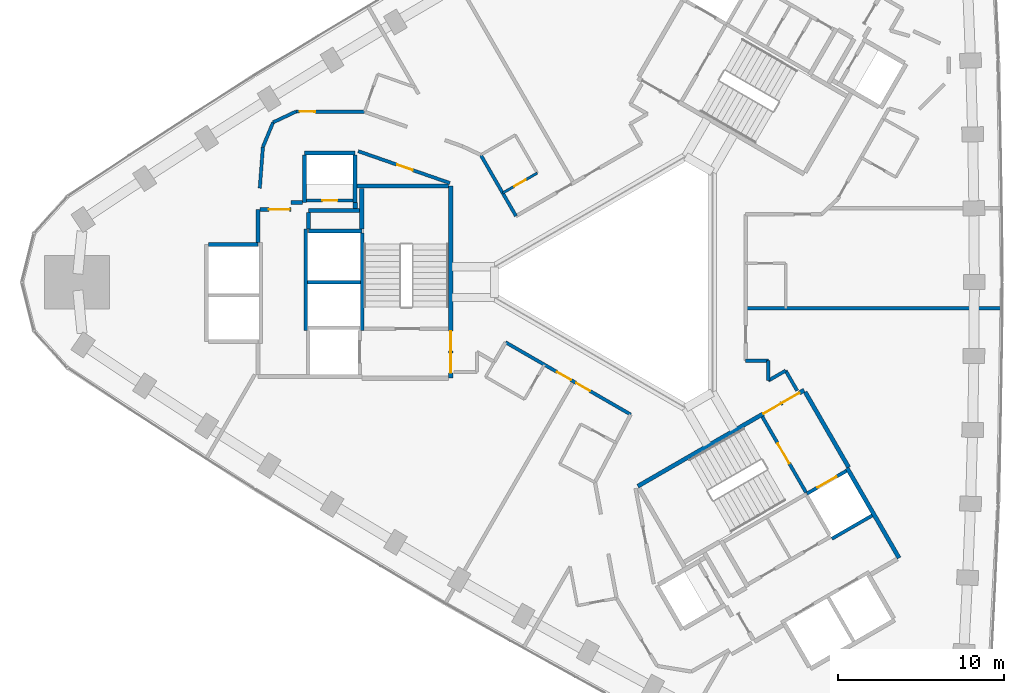
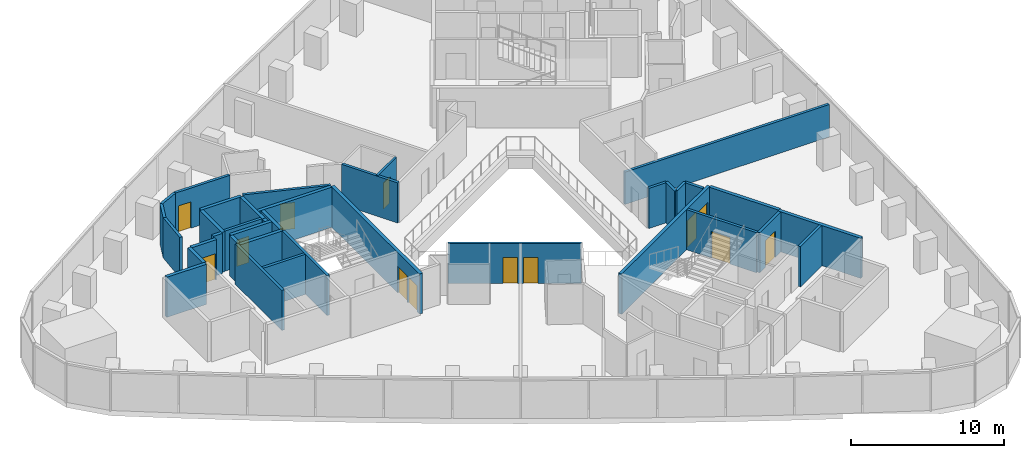
# One storey, part 9 of 12: 37 walls, 13 doors, 13 openings.
"""IFC4 building model written with IfcOpenShell, lengths in metres."""

from ifc_helpers import new_model, si_unit, direction, frame, frame_2d, origin, place, context, subcontext, project, spatial, rectangle, extrude, material, layer, layer_set, type_object, element, fill, save


model = new_model("IFC4")

# Units and contexts
model_context = context("Model", 3, precision=1e-05, world=origin(), true_north=direction((0.0, 1.0)))
body_context = subcontext(model_context, "Body", "Model", "MODEL_VIEW")
ifc_project = project(units=[si_unit("LENGTHUNIT", "METRE"), si_unit("AREAUNIT", "SQUARE_METRE"), si_unit("VOLUMEUNIT", "CUBIC_METRE"), si_unit("PLANEANGLEUNIT", "RADIAN"), si_unit("MASSUNIT", "GRAM", prefix="KILO")], contexts=[model_context])

# Site, building, storey
site_placement = place(None, origin())
site = spatial("IfcSite", under=ifc_project, at=site_placement, CompositionType="ELEMENT")
building_placement = place(site_placement, origin())
building = spatial("IfcBuilding", under=site, at=building_placement, Name="Tamra Quay Hotel Tower", CompositionType="ELEMENT")
storey_placement = place(building_placement, frame((0.0, 0.0, 115.39990234375)))
storey = spatial("IfcBuildingStorey", under=building, at=storey_placement, Name="L28", CompositionType="ELEMENT", Elevation=115.39990234375)

# Walls
ifc_material_1 = material(Name="Concrete M70", Category="concrete")
ifc_layer_1 = layer(ifc_material_1, 0.199951171875)
ifc_layer_set_1 = layer_set([ifc_layer_1], Name="Concrete M70 core wall 200")
wall_type_1 = type_object("IfcWallType", Name="Concrete M70 core wall 200", PredefinedType="SHEAR", material=ifc_layer_set_1)
wall_1_placement = place(storey_placement, frame((-16.162109375, 2.95068359375, 0.0), z_axis=(0.0, 0.0, 1.0), x_axis=(0.0, -1.0, 0.0)))
element("IfcWall", 1, at=wall_1_placement, inside=storey, type_object=wall_type_1, Name="CW2", PredefinedType="SHEAR", context=body_context, shape_type="SweptSolid", body=[
    extrude(rectangle(XDim=5.850830078125, YDim=0.199951171875, at=frame_2d((2.92529296875, 0.0))), origin(), (0.0, 0.0, 1.0), 3.2001953125),
])
wall_2_placement = place(storey_placement, frame((-19.5625, -2.900146484375, 0.0), z_axis=(0.0, 0.0, 1.0), x_axis=(0.0, 1.0, 0.0)))
element("IfcWall", 2, at=wall_2_placement, inside=storey, type_object=wall_type_1, Name="CW2", PredefinedType="SHEAR", context=body_context, shape_type="SweptSolid", body=[
    extrude(rectangle(XDim=6.100341796875, YDim=0.199951171875, at=frame_2d((3.05029296875, 0.0))), origin(), (0.0, 0.0, 1.0), 3.2001953125),
])
wall_3_placement = place(storey_placement, frame((-16.26318359375, 0.0, 0.0), z_axis=(0.0, 0.0, 1.0), x_axis=(-1.0, 0.0, 0.0)))
element("IfcWall", 3, at=wall_3_placement, inside=storey, type_object=wall_type_1, Name="CW2", PredefinedType="SHEAR", context=body_context, shape_type="SweptSolid", body=[
    extrude(rectangle(XDim=3.1982421875, YDim=0.199951171875, at=frame_2d((1.59912109375, 0.0))), origin(), (0.0, 0.0, 1.0), 3.2001953125),
])

# Wall, opening, door
wall_4_placement = place(storey_placement, frame((-19.51123046875, 4.91015625, 0.0), z_axis=(0.0, 0.0, 1.0), x_axis=(1.0, 0.0, 0.0)))
wall_4 = element("IfcWall", 4, at=wall_4_placement, inside=storey, type_object=wall_type_1, Name="CW2", PredefinedType="SHEAR", context=body_context, shape_type="SweptSolid", body=[
    extrude(rectangle(XDim=2.7978515625, YDim=0.199951171875, at=frame_2d((1.39892578125, 0.0))), origin(), (0.0, 0.0, 1.0), 3.2001953125),
])
opening_1_placement = place(wall_4_placement, frame((0.948974609375, 0.0, 0.0)))
opening_1 = element("IfcOpeningElement", 5, at=opening_1_placement, cuts=wall_4, Name="Opening D1", PredefinedType="OPENING", context=body_context, shape_type="SweptSolid", body=[
    extrude(rectangle(XDim=0.89990234375, YDim=2.10009765625, at=frame_2d((0.449951171875, 1.050048828125))), frame((0.0, 0.10986328125, 0.0), z_axis=(0.0, -1.0, 0.0), x_axis=(1.0, 0.0, 0.0)), (0.0, 0.0, 1.0), 0.219970703125),
])
ifc_material_2 = material(Name="Core door D1 900x2100 RH")
door_type_1 = type_object("IfcDoorType", Name="Core door D1 900x2100 RH", OperationType="NOTDEFINED", PredefinedType="DOOR", material=ifc_material_2)
door_1_placement = place(opening_1_placement, origin())
door_1 = element("IfcDoor", 6, at=door_1_placement, inside=storey, type_object=door_type_1, Name="D1", OperationType="SINGLE_SWING_RIGHT", OverallHeight=2.10009765625, OverallWidth=0.89990234375, PredefinedType="DOOR", context=body_context, shape_type="SweptSolid", body=[
    extrude(rectangle(XDim=0.89990234375, YDim=2.10009765625, at=frame_2d((0.449951171875, 1.050048828125))), frame((0.0, 0.02490234375, 0.0), z_axis=(0.0, -1.0, 0.0), x_axis=(1.0, 0.0, 0.0)), (0.0, 0.0, 1.0), 0.050048828125),
])
fill(opening_1, door_1)

wall_5_placement = place(storey_placement, frame((7.906494140625, -8.094482421875, 0.0), z_axis=(0.0, 0.0, 1.0), x_axis=(0.500024287448, -0.866011380966, 0.0)))
wall_5 = element("IfcWall", 7, at=wall_5_placement, inside=storey, type_object=wall_type_1, Name="CW2", PredefinedType="SHEAR", context=body_context, shape_type="SweptSolid", body=[
    extrude(rectangle(XDim=5.251220703125, YDim=0.199951171875, at=frame_2d((2.62548828125, 0.0))), origin(), (0.0, 0.0, 1.0), 3.2001953125),
])
opening_2_placement = place(wall_5_placement, frame((1.84912109375, 0.0, 0.0)))
opening_2 = element("IfcOpeningElement", 8, at=opening_2_placement, cuts=wall_5, Name="Opening FD2", PredefinedType="OPENING", context=body_context, shape_type="SweptSolid", body=[
    extrude(rectangle(XDim=1.39990234375, YDim=2.10009765625, at=frame_2d((0.699951171875, 1.050048828125))), frame((0.0, 0.10986328125, 0.0), z_axis=(0.0, -1.0, 0.0), x_axis=(1.0, 0.0, 0.0)), (0.0, 0.0, 1.0), 0.219970703125),
])
ifc_material_3 = material(Name="Core door FD2 1400x2100 RH")
door_type_2 = type_object("IfcDoorType", Name="Core door FD2 1400x2100 RH", OperationType="NOTDEFINED", PredefinedType="DOOR", material=ifc_material_3)
door_2_placement = place(opening_2_placement, origin())
door_2 = element("IfcDoor", 9, at=door_2_placement, inside=storey, type_object=door_type_2, Name="FD2", OperationType="SINGLE_SWING_RIGHT", OverallHeight=2.10009765625, OverallWidth=1.39990234375, PredefinedType="DOOR", context=body_context, shape_type="SweptSolid", body=[
    extrude(rectangle(XDim=1.39990234375, YDim=2.10009765625, at=frame_2d((0.699951171875, 1.050048828125))), frame((0.0, 0.02490234375, 0.0), z_axis=(0.0, -1.0, 0.0), x_axis=(1.0, 0.0, 0.0)), (0.0, 0.0, 1.0), 0.050048828125),
])
fill(opening_2, door_2)

wall_6_placement = place(storey_placement, frame((10.587158203125, -12.72314453125, 0.0), z_axis=(0.0, 0.0, 1.0), x_axis=(0.866037306777, 0.499979382845, 0.0)))
wall_6 = element("IfcWall", 10, at=wall_6_placement, inside=storey, type_object=wall_type_1, Name="CW2", PredefinedType="SHEAR", context=body_context, shape_type="SweptSolid", body=[
    extrude(rectangle(XDim=2.74169921875, YDim=0.199951171875, at=frame_2d((1.370849609375, 0.0))), origin(), (0.0, 0.0, 1.0), 3.2001953125),
])
opening_3_placement = place(wall_6_placement, frame((0.742919921875, 0.0, 0.0)))
opening_3 = element("IfcOpeningElement", 11, at=opening_3_placement, cuts=wall_6, Name="Opening LD", PredefinedType="OPENING", context=body_context, shape_type="SweptSolid", body=[
    extrude(rectangle(XDim=1.300048828125, YDim=2.10009765625, at=frame_2d((0.64990234375, 1.050048828125))), frame((0.0, 0.10986328125, 0.0), z_axis=(0.0, -1.0, 0.0), x_axis=(1.0, 0.0, 0.0)), (0.0, 0.0, 1.0), 0.219970703125),
])
ifc_material_4 = material(Name="Landing door LD 1300 sliding to right")
door_type_3 = type_object("IfcDoorType", Name="Landing door LD 1300 sliding to right", OperationType="NOTDEFINED", PredefinedType="DOOR", material=ifc_material_4)
door_3_placement = place(opening_3_placement, origin())
door_3 = element("IfcDoor", 12, at=door_3_placement, inside=storey, type_object=door_type_3, Name="LD", OperationType="SLIDING_TO_RIGHT", OverallHeight=2.10009765625, OverallWidth=1.300048828125, PredefinedType="DOOR", context=body_context, shape_type="SweptSolid", body=[
    extrude(rectangle(XDim=1.300048828125, YDim=2.10009765625, at=frame_2d((0.64990234375, 1.050048828125))), frame((0.0, 0.02490234375, 0.0), z_axis=(0.0, -1.0, 0.0), x_axis=(1.0, 0.0, 0.0)), (0.0, 0.0, 1.0), 0.050048828125),
])
fill(opening_3, door_3)

# Wall
wall_7_placement = place(storey_placement, frame((14.51171875, -14.037109375, 0.0), z_axis=(0.0, 0.0, 1.0), x_axis=(-0.866044696403, -0.499966582715, 0.0)))
element("IfcWall", 13, at=wall_7_placement, inside=storey, type_object=wall_type_1, Name="CW2", PredefinedType="SHEAR", context=body_context, shape_type="SweptSolid", body=[
    extrude(rectangle(XDim=2.799072265625, YDim=0.199951171875, at=frame_2d((1.3994140625, 0.0))), origin(), (0.0, 0.0, 1.0), 3.2001953125),
])

# Wall, openings, doors
ifc_layer_2 = layer(ifc_material_1, 0.25)
ifc_layer_set_2 = layer_set([ifc_layer_2], Name="Concrete M70 core wall 250")
wall_type_2 = type_object("IfcWallType", Name="Concrete M70 core wall 250", PredefinedType="SHEAR", material=ifc_layer_set_2)
wall_8_placement = place(storey_placement, frame((-10.83740234375, 5.77490234375, 0.0), z_axis=(0.0, 0.0, 1.0), x_axis=(0.0, -1.0, 0.0)))
wall_8 = element("IfcWall", 14, at=wall_8_placement, inside=storey, type_object=wall_type_2, Name="CW1", PredefinedType="SHEAR", context=body_context, shape_type="SweptSolid", body=[
    extrude(rectangle(XDim=11.5498046875, YDim=0.25, at=frame_2d((5.77490234375, 0.0))), origin(), (0.0, 0.0, 1.0), 3.2001953125),
])
opening_4_placement = place(wall_8_placement, frame((10.02490234375, 0.0, 0.0)))
opening_4 = element("IfcOpeningElement", 15, at=opening_4_placement, cuts=wall_8, Name="Opening FD1", PredefinedType="OPENING", context=body_context, shape_type="SweptSolid", body=[
    extrude(rectangle(XDim=1.199951171875, YDim=2.10009765625, at=frame_2d((0.60009765625, 1.050048828125))), frame((0.0, 0.135009765625, 0.0), z_axis=(0.0, -1.0, 0.0), x_axis=(1.0, 0.0, 0.0)), (0.0, 0.0, 1.0), 0.27001953125),
])
opening_5_placement = place(wall_8_placement, frame((8.72509765625, 0.0, 0.0)))
opening_5 = element("IfcOpeningElement", 16, at=opening_5_placement, cuts=wall_8, Name="Opening FD1", PredefinedType="OPENING", context=body_context, shape_type="SweptSolid", body=[
    extrude(rectangle(XDim=1.199951171875, YDim=2.10009765625, at=frame_2d((0.60009765625, 1.050048828125))), frame((0.0, 0.135009765625, 0.0), z_axis=(0.0, -1.0, 0.0), x_axis=(1.0, 0.0, 0.0)), (0.0, 0.0, 1.0), 0.27001953125),
])
ifc_material_5 = material(Name="Core door FD1 1200x2100 LH")
door_type_4 = type_object("IfcDoorType", Name="Core door FD1 1200x2100 LH", OperationType="NOTDEFINED", PredefinedType="DOOR", material=ifc_material_5)
door_4_placement = place(opening_4_placement, origin())
door_4 = element("IfcDoor", 17, at=door_4_placement, inside=storey, type_object=door_type_4, Name="FD1", OperationType="SINGLE_SWING_LEFT", OverallHeight=2.10009765625, OverallWidth=1.199951171875, PredefinedType="DOOR", context=body_context, shape_type="SweptSolid", body=[
    extrude(rectangle(XDim=1.199951171875, YDim=2.10009765625, at=frame_2d((0.60009765625, 1.050048828125))), frame((0.0, 0.02490234375, 0.0), z_axis=(0.0, -1.0, 0.0), x_axis=(1.0, 0.0, 0.0)), (0.0, 0.0, 1.0), 0.050048828125),
])
fill(opening_4, door_4)
ifc_material_6 = material(Name="Core door FD1 1200x2100 RH")
door_type_5 = type_object("IfcDoorType", Name="Core door FD1 1200x2100 RH", OperationType="NOTDEFINED", PredefinedType="DOOR", material=ifc_material_6)
door_5_placement = place(opening_5_placement, origin())
door_5 = element("IfcDoor", 18, at=door_5_placement, inside=storey, type_object=door_type_5, Name="FD1", OperationType="SINGLE_SWING_RIGHT", OverallHeight=2.10009765625, OverallWidth=1.199951171875, PredefinedType="DOOR", context=body_context, shape_type="SweptSolid", body=[
    extrude(rectangle(XDim=1.199951171875, YDim=2.10009765625, at=frame_2d((0.60009765625, 1.050048828125))), frame((0.0, 0.02490234375, 0.0), z_axis=(0.0, -1.0, 0.0), x_axis=(1.0, 0.0, 0.0)), (0.0, 0.0, 1.0), 0.050048828125),
])
fill(opening_5, door_5)

# Walls
wall_9_placement = place(storey_placement, frame((-16.47216796875, 5.77490234375, 0.0), z_axis=(0.0, 0.0, 1.0), x_axis=(1.0, 0.0, 0.0)))
element("IfcWall", 19, at=wall_9_placement, inside=storey, type_object=wall_type_2, Name="CW1", PredefinedType="SHEAR", context=body_context, shape_type="SweptSolid", body=[
    extrude(rectangle(XDim=5.509521484375, YDim=0.25, at=frame_2d((2.7548828125, 0.0))), origin(), (0.0, 0.0, 1.0), 3.2001953125),
])
wall_10_placement = place(storey_placement, frame((-19.38720703125, 3.074951171875, 0.0), z_axis=(0.0, 0.0, 1.0), x_axis=(1.0, 0.0, 0.0)))
element("IfcWall", 20, at=wall_10_placement, inside=storey, type_object=wall_type_2, Name="CW1", PredefinedType="SHEAR", context=body_context, shape_type="SweptSolid", body=[
    extrude(rectangle(XDim=3.199951171875, YDim=0.25, at=frame_2d((1.60009765625, 0.0))), origin(), (0.0, 0.0, 1.0), 3.2001953125),
])
wall_11_placement = place(storey_placement, frame((-25.411865234375, 2.27490234375, 0.0), z_axis=(0.0, 0.0, 1.0), x_axis=(1.0, 0.0, 0.0)))
element("IfcWall", 21, at=wall_11_placement, inside=storey, type_object=wall_type_2, Name="CW1", PredefinedType="SHEAR", context=body_context, shape_type="SweptSolid", body=[
    extrude(rectangle(XDim=2.974609375, YDim=0.25, at=frame_2d((1.4873046875, 0.0))), origin(), (0.0, 0.0, 1.0), 3.2001953125),
])
wall_12_placement = place(storey_placement, frame((-19.63720703125, 7.77490234375, 0.0), z_axis=(0.0, 0.0, 1.0), x_axis=(1.0, 0.0, 0.0)))
element("IfcWall", 22, at=wall_12_placement, inside=storey, type_object=wall_type_2, Name="CW1", PredefinedType="SHEAR", context=body_context, shape_type="SweptSolid", body=[
    extrude(rectangle(XDim=3.0498046875, YDim=0.25, at=frame_2d((1.52490234375, 0.0))), origin(), (0.0, 0.0, 1.0), 3.2001953125),
])
for number, where, z_axis, x_axis, name in (
    (23, (-16.58740234375, 7.649658203125, 0.0), (0.0, 0.0, 1.0), (0.0, -1.0, 0.0), "CW1"),
    (24, (-19.63720703125, 4.784912109375, 0.0), (0.0, 0.0, 1.0), (0.0, 1.0, 0.0), "CW1"),
):
    element("IfcWall", number, at=place(storey_placement, frame(where, z_axis=z_axis, x_axis=x_axis)), inside=storey, type_object=wall_type_2, Name=name, PredefinedType="SHEAR", context=body_context, shape_type="SweptSolid", body=[
        extrude(rectangle(XDim=2.86474609375, YDim=0.25, at=frame_2d((1.432373046875, 0.0))), origin(), (0.0, 0.0, 1.0), 3.2001953125),
    ])
wall_13_placement = place(storey_placement, frame((-16.30224609375, 4.31494140625, 0.0), z_axis=(0.0, 0.0, 1.0), x_axis=(-1.0, 0.0, 0.0)))
element("IfcWall", 25, at=wall_13_placement, inside=storey, type_object=wall_type_2, Name="CW1", PredefinedType="SHEAR", context=body_context, shape_type="SweptSolid", body=[
    extrude(rectangle(XDim=3.0849609375, YDim=0.25, at=frame_2d((1.54248046875, 0.0))), origin(), (0.0, 0.0, 1.0), 3.2001953125),
])
wall_14_placement = place(storey_placement, frame((-16.187255859375, 3.200439453125, 0.0), z_axis=(0.0, 0.0, 1.0), x_axis=(0.0, 1.0, 0.0)))
element("IfcWall", 26, at=wall_14_placement, inside=storey, type_object=wall_type_2, Name="CW1", PredefinedType="SHEAR", context=body_context, shape_type="SweptSolid", body=[
    extrude(rectangle(XDim=2.44921875, YDim=0.25, at=frame_2d((1.224609375, 0.0))), origin(), (0.0, 0.0, 1.0), 3.2001953125),
])
wall_15_placement = place(storey_placement, frame((-22.437255859375, 2.400390625, 0.0), z_axis=(0.0, 0.0, 1.0), x_axis=(0.0, 1.0, 0.0)))
element("IfcWall", 27, at=wall_15_placement, inside=storey, type_object=wall_type_2, Name="CW1", PredefinedType="SHEAR", context=body_context, shape_type="SweptSolid", body=[
    extrude(rectangle(XDim=1.974609375, YDim=0.25, at=frame_2d((0.9873046875, 0.0))), origin(), (0.0, 0.0, 1.0), 3.2001953125),
])

# Wall, opening, door
wall_16_placement = place(storey_placement, frame((-22.311767578125, 4.375, 0.0), z_axis=(0.0, 0.0, 1.0), x_axis=(1.0, 0.0, 0.0)))
wall_16 = element("IfcWall", 28, at=wall_16_placement, inside=storey, type_object=wall_type_2, Name="CW1", PredefinedType="SHEAR", context=body_context, shape_type="SweptSolid", body=[
    extrude(rectangle(XDim=1.864501953125, YDim=0.25, at=frame_2d((0.93212890625, 0.0))), origin(), (0.0, 0.0, 1.0), 3.2001953125),
])
opening_6_placement = place(wall_16_placement, frame((0.53466796875, 0.0, 0.0)))
opening_6 = element("IfcOpeningElement", 29, at=opening_6_placement, cuts=wall_16, Name="Opening FD3", PredefinedType="OPENING", context=body_context, shape_type="SweptSolid", body=[
    extrude(rectangle(XDim=1.25, YDim=2.10009765625, at=frame_2d((0.625, 1.050048828125))), frame((0.0, 0.135009765625, 0.0), z_axis=(0.0, -1.0, 0.0), x_axis=(1.0, 0.0, 0.0)), (0.0, 0.0, 1.0), 0.27001953125),
])
ifc_material_7 = material(Name="Core door FD3 1250x2100 LH")
door_type_6 = type_object("IfcDoorType", Name="Core door FD3 1250x2100 LH", OperationType="NOTDEFINED", PredefinedType="DOOR", material=ifc_material_7)
door_6_placement = place(opening_6_placement, origin())
door_6 = element("IfcDoor", 30, at=door_6_placement, inside=storey, type_object=door_type_6, Name="FD3", OperationType="SINGLE_SWING_LEFT", OverallHeight=2.10009765625, OverallWidth=1.25, PredefinedType="DOOR", context=body_context, shape_type="SweptSolid", body=[
    extrude(rectangle(XDim=1.25, YDim=2.10009765625, at=frame_2d((0.625, 1.050048828125))), frame((0.0, 0.02490234375, 0.0), z_axis=(0.0, -1.0, 0.0), x_axis=(1.0, 0.0, 0.0)), (0.0, 0.0, 1.0), 0.050048828125),
])
fill(opening_6, door_6)

# Walls
wall_17_placement = place(storey_placement, frame((-19.38720703125, 4.189697265625, 0.0), z_axis=(0.0, 0.0, 1.0), x_axis=(0.0, -1.0, 0.0)))
element("IfcWall", 31, at=wall_17_placement, inside=storey, type_object=wall_type_2, Name="CW1", PredefinedType="SHEAR", context=body_context, shape_type="SweptSolid", body=[
    extrude(rectangle(XDim=0.9892578125, YDim=0.25, at=frame_2d((0.49462890625, 0.0))), origin(), (0.0, 0.0, 1.0), 3.2001953125),
])
wall_18_placement = place(storey_placement, frame((-20.447265625, 4.784912109375, 0.0), z_axis=(0.0, 0.0, 1.0), x_axis=(1.0, 0.0, 0.0)))
element("IfcWall", 32, at=wall_18_placement, inside=storey, type_object=wall_type_2, Name="CW1", PredefinedType="SHEAR", context=body_context, shape_type="SweptSolid", body=[
    extrude(rectangle(XDim=0.6845703125, YDim=0.25, at=frame_2d((0.34228515625, 0.0))), origin(), (0.0, 0.0, 1.0), 3.2001953125),
])
wall_19_placement = place(storey_placement, frame((-16.577392578125, 4.784912109375, 0.0), z_axis=(0.0, 0.0, 1.0), x_axis=(0.0, -1.0, 0.0)))
element("IfcWall", 33, at=wall_19_placement, inside=storey, type_object=wall_type_2, Name="CW1", PredefinedType="SHEAR", context=body_context, shape_type="SweptSolid", body=[
    extrude(rectangle(XDim=0.344482421875, YDim=0.25, at=frame_2d((0.17236328125, 0.0))), origin(), (0.0, 0.0, 1.0), 3.2001953125),
])

# Wall, openings, doors
wall_20_placement = place(storey_placement, frame((0.417236328125, -12.27294921875, 0.0), z_axis=(0.0, 0.0, 1.0), x_axis=(0.866021906294, 0.500006057782, 0.0)))
wall_20 = element("IfcWall", 34, at=wall_20_placement, inside=storey, type_object=wall_type_2, Name="CW1", PredefinedType="SHEAR", context=body_context, shape_type="SweptSolid", body=[
    extrude(rectangle(XDim=11.550048828125, YDim=0.25, at=frame_2d((5.77490234375, 0.0))), origin(), (0.0, 0.0, 1.0), 3.2001953125),
])
opening_7_placement = place(wall_20_placement, frame((10.024658203125, 0.0, 0.0)))
opening_7 = element("IfcOpeningElement", 35, at=opening_7_placement, cuts=wall_20, Name="Opening FD1", PredefinedType="OPENING", context=body_context, shape_type="SweptSolid", body=[
    extrude(rectangle(XDim=1.199951171875, YDim=2.10009765625, at=frame_2d((0.60009765625, 1.050048828125))), frame((0.0, 0.135009765625, 0.0), z_axis=(0.0, -1.0, 0.0), x_axis=(1.0, 0.0, 0.0)), (0.0, 0.0, 1.0), 0.27001953125),
])
opening_8_placement = place(wall_20_placement, frame((8.724609375, 0.0, 0.0)))
opening_8 = element("IfcOpeningElement", 36, at=opening_8_placement, cuts=wall_20, Name="Opening FD1", PredefinedType="OPENING", context=body_context, shape_type="SweptSolid", body=[
    extrude(rectangle(XDim=1.199951171875, YDim=2.10009765625, at=frame_2d((0.60009765625, 1.050048828125))), frame((0.0, 0.135009765625, 0.0), z_axis=(0.0, -1.0, 0.0), x_axis=(1.0, 0.0, 0.0)), (0.0, 0.0, 1.0), 0.27001953125),
])
door_7_placement = place(opening_7_placement, origin())
door_7 = element("IfcDoor", 37, at=door_7_placement, inside=storey, type_object=door_type_4, Name="FD1", OperationType="SINGLE_SWING_LEFT", OverallHeight=2.10009765625, OverallWidth=1.199951171875, PredefinedType="DOOR", context=body_context, shape_type="SweptSolid", body=[
    extrude(rectangle(XDim=1.199951171875, YDim=2.10009765625, at=frame_2d((0.60009765625, 1.050048828125))), frame((0.0, 0.02490234375, 0.0), z_axis=(0.0, -1.0, 0.0), x_axis=(1.0, 0.0, 0.0)), (0.0, 0.0, 1.0), 0.050048828125),
])
fill(opening_7, door_7)
door_8_placement = place(opening_8_placement, origin())
door_8 = element("IfcDoor", 38, at=door_8_placement, inside=storey, type_object=door_type_5, Name="FD1", OperationType="SINGLE_SWING_RIGHT", OverallHeight=2.10009765625, OverallWidth=1.199951171875, PredefinedType="DOOR", context=body_context, shape_type="SweptSolid", body=[
    extrude(rectangle(XDim=1.199951171875, YDim=2.10009765625, at=frame_2d((0.60009765625, 1.050048828125))), frame((0.0, 0.02490234375, 0.0), z_axis=(0.0, -1.0, 0.0), x_axis=(1.0, 0.0, 0.0)), (0.0, 0.0, 1.0), 0.050048828125),
])
fill(opening_8, door_8)

# Walls
wall_21_placement = place(storey_placement, frame((13.00830078125, -11.18115234375, 0.0), z_axis=(0.0, 0.0, 1.0), x_axis=(0.500004234368, -0.866022959057, 0.0)))
element("IfcWall", 39, at=wall_21_placement, inside=storey, type_object=wall_type_2, Name="CW1", PredefinedType="SHEAR", context=body_context, shape_type="SweptSolid", body=[
    extrude(rectangle(XDim=6.25, YDim=0.25, at=frame_2d((3.125, 0.0))), origin(), (0.0, 0.0, 1.0), 3.2001953125),
])
wall_22_placement = place(storey_placement, frame((10.482666015625, -6.6064453125, 0.0), z_axis=(0.0, 0.0, 1.0), x_axis=(0.49999885962, -0.866026062182, 0.0)))
element("IfcWall", 40, at=wall_22_placement, inside=storey, type_object=wall_type_2, Name="CW1", PredefinedType="SHEAR", context=body_context, shape_type="SweptSolid", body=[
    extrude(rectangle(XDim=5.224609375, YDim=0.25, at=frame_2d((2.6123046875, 0.0))), origin(), (0.0, 0.0, 1.0), 3.2001953125),
])
ifc_material_8 = material(Name="Partition corridor wall")
ifc_layer_3 = layer(ifc_material_8, 0.199951171875)
ifc_layer_set_3 = layer_set([ifc_layer_3], Name="Partition corridor wall")
wall_type_3 = type_object("IfcWallType", Name="Partition corridor wall", PredefinedType="PARTITIONING", material=ifc_layer_set_3)
wall_23_placement = place(storey_placement, frame((-22.135009765625, 8.1298828125, 0.0), z_axis=(0.0, 0.0, 1.0), x_axis=(-0.076073461031, -0.997102215686, 0.0)))
element("IfcWall", 41, at=wall_23_placement, inside=storey, type_object=wall_type_3, Name="W-C", PredefinedType="PARTITIONING", context=body_context, shape_type="SweptSolid", body=[
    extrude(rectangle(XDim=2.4873046875, YDim=0.199951171875, at=frame_2d((1.24365234375, 0.0))), origin(), (0.0, 0.0, 1.0), 3.2001953125),
])
wall_24_placement = place(storey_placement, frame((-22.135009765625, 8.134033203125, 0.0), z_axis=(0.0, 0.0, 1.0), x_axis=(0.383208453534, 0.923661886807, 0.0)))
element("IfcWall", 42, at=wall_24_placement, inside=storey, type_object=wall_type_3, Name="W-C", PredefinedType="PARTITIONING", context=body_context, shape_type="SweptSolid", body=[
    extrude(rectangle(XDim=1.602294921875, YDim=0.199951171875, at=frame_2d((0.80126953125, 0.0))), origin(), (0.0, 0.0, 1.0), 3.2001953125),
])
wall_25_placement = place(storey_placement, frame((-21.52099609375, 9.614013671875, 0.0), z_axis=(0.0, 0.0, 1.0), x_axis=(0.904083527367, 0.427355795028, 0.0)))
element("IfcWall", 43, at=wall_25_placement, inside=storey, type_object=wall_type_3, Name="W-C", PredefinedType="PARTITIONING", context=body_context, shape_type="SweptSolid", body=[
    extrude(rectangle(XDim=1.52294921875, YDim=0.199951171875, at=frame_2d((0.761474609375, 0.0))), origin(), (0.0, 0.0, 1.0), 3.2001953125),
])

# Wall, opening, door
wall_26_placement = place(storey_placement, frame((-20.14306640625, 10.26611328125, 0.0), z_axis=(0.0, 0.0, 1.0), x_axis=(0.999989297417, -0.004626559416, 0.0)))
wall_26 = element("IfcWall", 44, at=wall_26_placement, inside=storey, type_object=wall_type_3, Name="W-C", PredefinedType="PARTITIONING", context=body_context, shape_type="SweptSolid", body=[
    extrude(rectangle(XDim=4.115966796875, YDim=0.199951171875, at=frame_2d((2.05810546875, 0.0))), origin(), (0.0, 0.0, 1.0), 3.2001953125),
])
opening_9_placement = place(wall_26_placement, frame((0.216064453125, 0.0, 0.0)))
opening_9 = element("IfcOpeningElement", 45, at=opening_9_placement, cuts=wall_26, Name="Opening L28-D010", PredefinedType="OPENING", context=body_context, shape_type="SweptSolid", body=[
    extrude(rectangle(XDim=0.949951171875, YDim=2.10009765625, at=frame_2d((0.47509765625, 1.050048828125))), frame((0.0, 0.10986328125, 0.0), z_axis=(0.0, -1.0, 0.0), x_axis=(1.0, 0.0, 0.0)), (0.0, 0.0, 1.0), 0.219970703125),
])
ifc_material_9 = material(Name="Door guest room 950x2100")
door_type_7 = type_object("IfcDoorType", Name="Door guest room 950x2100", OperationType="NOTDEFINED", PredefinedType="DOOR", material=ifc_material_9)
door_9_placement = place(opening_9_placement, frame((0.949951171875, 0.0, 0.0), z_axis=(0.0, 0.0, 1.0), x_axis=(-1.0, 0.0, 0.0)))
door_9 = element("IfcDoor", 46, at=door_9_placement, inside=storey, type_object=door_type_7, Name="L28-D010", OperationType="SINGLE_SWING_LEFT", OverallHeight=2.10009765625, OverallWidth=0.949951171875, PredefinedType="DOOR", context=body_context, shape_type="SweptSolid", body=[
    extrude(rectangle(XDim=0.949951171875, YDim=2.10009765625, at=frame_2d((0.47509765625, 1.050048828125))), frame((0.0, 0.02490234375, 0.0), z_axis=(0.0, -1.0, 0.0), x_axis=(1.0, 0.0, 0.0)), (0.0, 0.0, 1.0), 0.050048828125),
])
fill(opening_9, door_9)

wall_27_placement = place(storey_placement, frame((-16.40234375, 7.879150390625, 0.0), z_axis=(0.0, 0.0, 1.0), x_axis=(0.94449961557, -0.328512520596, 0.0)))
wall_27 = element("IfcWall", 47, at=wall_27_placement, inside=storey, type_object=wall_type_3, Name="W-C", PredefinedType="PARTITIONING", context=body_context, shape_type="SweptSolid", body=[
    extrude(rectangle(XDim=5.842041015625, YDim=0.199951171875, at=frame_2d((2.9208984375, 0.0))), origin(), (0.0, 0.0, 1.0), 3.2001953125),
])
opening_10_placement = place(wall_27_placement, frame((2.47900390625, 0.0, 0.0)))
opening_10 = element("IfcOpeningElement", 48, at=opening_10_placement, cuts=wall_27, Name="Opening L28-D009", PredefinedType="OPENING", context=body_context, shape_type="SweptSolid", body=[
    extrude(rectangle(XDim=1.0, YDim=2.10009765625, at=frame_2d((0.5, 1.050048828125))), frame((0.0, 0.10986328125, 0.0), z_axis=(0.0, -1.0, 0.0), x_axis=(1.0, 0.0, 0.0)), (0.0, 0.0, 1.0), 0.219970703125),
])
ifc_material_10 = material(Name="Door guest room 1000x2100")
door_type_8 = type_object("IfcDoorType", Name="Door guest room 1000x2100", OperationType="NOTDEFINED", PredefinedType="DOOR", material=ifc_material_10)
door_10_placement = place(opening_10_placement, frame((1.0, 0.0, 0.0), z_axis=(0.0, 0.0, 1.0), x_axis=(-1.0, 0.0, 0.0)))
door_10 = element("IfcDoor", 49, at=door_10_placement, inside=storey, type_object=door_type_8, Name="L28-D009", OperationType="SINGLE_SWING_LEFT", OverallHeight=2.10009765625, OverallWidth=1.0, PredefinedType="DOOR", context=body_context, shape_type="SweptSolid", body=[
    extrude(rectangle(XDim=1.0, YDim=2.10009765625, at=frame_2d((0.5, 1.050048828125))), frame((0.0, 0.02490234375, 0.0), z_axis=(0.0, -1.0, 0.0), x_axis=(1.0, 0.0, 0.0)), (0.0, 0.0, 1.0), 0.050048828125),
])
fill(opening_10, door_10)

# Wall
wall_28_placement = place(storey_placement, frame((-9.032958984375, 7.652099609375, 0.0), z_axis=(0.0, 0.0, 1.0), x_axis=(0.500049463259, -0.865996844275, 0.0)))
element("IfcWall", 50, at=wall_28_placement, inside=storey, type_object=wall_type_3, Name="W-C", PredefinedType="PARTITIONING", context=body_context, shape_type="SweptSolid", body=[
    extrude(rectangle(XDim=4.24365234375, YDim=0.199951171875, at=frame_2d((2.121826171875, 0.0))), origin(), (0.0, 0.0, 1.0), 3.2001953125),
])

# Wall, openings, doors
wall_29_placement = place(storey_placement, frame((-7.539306640625, -3.615478515625, 0.0), z_axis=(0.0, 0.0, 1.0), x_axis=(0.866038665277, -0.499977029717, 0.0)))
wall_29 = element("IfcWall", 51, at=wall_29_placement, inside=storey, type_object=wall_type_3, Name="W-C", PredefinedType="PARTITIONING", context=body_context, shape_type="SweptSolid", body=[
    extrude(rectangle(XDim=8.68896484375, YDim=0.199951171875, at=frame_2d((4.344482421875, 0.0))), origin(), (0.0, 0.0, 1.0), 3.2001953125),
])
opening_11_placement = place(wall_29_placement, frame((3.583251953125, 0.0, 0.0)))
opening_11 = element("IfcOpeningElement", 52, at=opening_11_placement, cuts=wall_29, Name="Opening L28-D012", PredefinedType="OPENING", context=body_context, shape_type="SweptSolid", body=[
    extrude(rectangle(XDim=0.949951171875, YDim=2.10009765625, at=frame_2d((0.47509765625, 1.050048828125))), frame((0.0, 0.10986328125, 0.0), z_axis=(0.0, -1.0, 0.0), x_axis=(1.0, 0.0, 0.0)), (0.0, 0.0, 1.0), 0.219970703125),
])
opening_12_placement = place(wall_29_placement, frame((4.909912109375, 0.0, 0.0)))
opening_12 = element("IfcOpeningElement", 53, at=opening_12_placement, cuts=wall_29, Name="Opening L28-D014", PredefinedType="OPENING", context=body_context, shape_type="SweptSolid", body=[
    extrude(rectangle(XDim=0.949951171875, YDim=2.10009765625, at=frame_2d((0.47509765625, 1.050048828125))), frame((0.0, 0.10986328125, 0.0), z_axis=(0.0, -1.0, 0.0), x_axis=(1.0, 0.0, 0.0)), (0.0, 0.0, 1.0), 0.219970703125),
])
door_11_placement = place(opening_11_placement, frame((0.949951171875, 0.0, 0.0), z_axis=(0.0, 0.0, 1.0), x_axis=(-1.0, 0.0, 0.0)))
door_11 = element("IfcDoor", 54, at=door_11_placement, inside=storey, type_object=door_type_7, Name="L28-D012", OperationType="SINGLE_SWING_LEFT", OverallHeight=2.10009765625, OverallWidth=0.949951171875, PredefinedType="DOOR", context=body_context, shape_type="SweptSolid", body=[
    extrude(rectangle(XDim=0.949951171875, YDim=2.10009765625, at=frame_2d((0.47509765625, 1.050048828125))), frame((0.0, 0.02490234375, 0.0), z_axis=(0.0, -1.0, 0.0), x_axis=(1.0, 0.0, 0.0)), (0.0, 0.0, 1.0), 0.050048828125),
])
fill(opening_11, door_11)
door_12_placement = place(opening_12_placement, frame((0.949951171875, 0.0, 0.0), z_axis=(0.0, 0.0, 1.0), x_axis=(-1.0, 0.0, 0.0)))
door_12 = element("IfcDoor", 55, at=door_12_placement, inside=storey, type_object=door_type_7, Name="L28-D014", OperationType="SINGLE_SWING_LEFT", OverallHeight=2.10009765625, OverallWidth=0.949951171875, PredefinedType="DOOR", context=body_context, shape_type="SweptSolid", body=[
    extrude(rectangle(XDim=0.949951171875, YDim=2.10009765625, at=frame_2d((0.47509765625, 1.050048828125))), frame((0.0, 0.02490234375, 0.0), z_axis=(0.0, -1.0, 0.0), x_axis=(1.0, 0.0, 0.0)), (0.0, 0.0, 1.0), 0.050048828125),
])
fill(opening_12, door_12)

# Walls
wall_30_placement = place(storey_placement, frame((6.89990234375, -4.720947265625, 0.0), z_axis=(0.0, 0.0, 1.0), x_axis=(1.0, 0.0, 0.0)))
element("IfcWall", 56, at=wall_30_placement, inside=storey, type_object=wall_type_3, Name="W-C", PredefinedType="PARTITIONING", context=body_context, shape_type="SweptSolid", body=[
    extrude(rectangle(XDim=1.3681640625, YDim=0.199951171875, at=frame_2d((0.68408203125, 0.0))), origin(), (0.0, 0.0, 1.0), 3.2001953125),
])
wall_31_placement = place(storey_placement, frame((8.26806640625, -5.9208984375, 0.0), z_axis=(0.0, 0.0, 1.0), x_axis=(0.0, 1.0, 0.0)))
element("IfcWall", 57, at=wall_31_placement, inside=storey, type_object=wall_type_3, Name="W-C", PredefinedType="PARTITIONING", context=body_context, shape_type="SweptSolid", body=[
    extrude(rectangle(XDim=1.199951171875, YDim=0.199951171875, at=frame_2d((0.60009765625, 0.0))), origin(), (0.0, 0.0, 1.0), 3.2001953125),
])
wall_32_placement = place(storey_placement, frame((8.26806640625, -5.9208984375, 0.0), z_axis=(0.0, 0.0, 1.0), x_axis=(0.866344856625, 0.499446282797, 0.0)))
element("IfcWall", 58, at=wall_32_placement, inside=storey, type_object=wall_type_3, Name="W-C", PredefinedType="PARTITIONING", context=body_context, shape_type="SweptSolid", body=[
    extrude(rectangle(XDim=1.198974609375, YDim=0.199951171875, at=frame_2d((0.599609375, 0.0))), origin(), (0.0, 0.0, 1.0), 3.2001953125),
])
wall_33_placement = place(storey_placement, frame((9.306884765625, -5.322021484375, 0.0), z_axis=(0.0, 0.0, 1.0), x_axis=(0.500295157811, -0.865854927266, 0.0)))
element("IfcWall", 59, at=wall_33_placement, inside=storey, type_object=wall_type_3, Name="W-C", PredefinedType="PARTITIONING", context=body_context, shape_type="SweptSolid", body=[
    extrude(rectangle(XDim=1.389892578125, YDim=0.199951171875, at=frame_2d((0.69482421875, 0.0))), origin(), (0.0, 0.0, 1.0), 3.2001953125),
])

# Wall, opening, door
ifc_material_11 = material(Name="Partition en-suite wall")
ifc_layer_4 = layer(ifc_material_11, 0.14990234375)
ifc_layer_set_4 = layer_set([ifc_layer_4], Name="Partition en-suite wall")
wall_type_4 = type_object("IfcWallType", Name="Partition en-suite wall", PredefinedType="PARTITIONING", material=ifc_layer_set_4)
wall_34_placement = place(storey_placement, frame((-7.7109375, 5.363037109375, 0.0), z_axis=(0.0, 0.0, 1.0), x_axis=(0.865973769406, 0.500089422704, 0.0)))
wall_34 = element("IfcWall", 60, at=wall_34_placement, inside=storey, type_object=wall_type_4, Name="W-E", PredefinedType="PARTITIONING", context=body_context, shape_type="SweptSolid", body=[
    extrude(rectangle(XDim=2.3994140625, YDim=0.14990234375, at=frame_2d((1.19970703125, 0.0))), origin(), (0.0, 0.0, 1.0), 3.2001953125),
])
opening_13_placement = place(wall_34_placement, frame((0.7998046875, 0.0, 0.0)))
opening_13 = element("IfcOpeningElement", 61, at=opening_13_placement, cuts=wall_34, Name="Opening L28-D008", PredefinedType="OPENING", context=body_context, shape_type="SweptSolid", body=[
    extrude(rectangle(XDim=0.800048828125, YDim=2.10009765625, at=frame_2d((0.39990234375, 1.050048828125))), frame((0.0, 0.0849609375, 0.0), z_axis=(0.0, -1.0, 0.0), x_axis=(1.0, 0.0, 0.0)), (0.0, 0.0, 1.0), 0.169921875),
])
ifc_material_12 = material(Name="Door en-suite 800x2100")
door_type_9 = type_object("IfcDoorType", Name="Door en-suite 800x2100", OperationType="NOTDEFINED", PredefinedType="DOOR", material=ifc_material_12)
door_13_placement = place(opening_13_placement, origin())
door_13 = element("IfcDoor", 62, at=door_13_placement, inside=storey, type_object=door_type_9, Name="L28-D008", OperationType="SINGLE_SWING_LEFT", OverallHeight=2.10009765625, OverallWidth=0.800048828125, PredefinedType="DOOR", context=body_context, shape_type="SweptSolid", body=[
    extrude(rectangle(XDim=0.800048828125, YDim=2.10009765625, at=frame_2d((0.39990234375, 1.050048828125))), frame((0.0, 0.02490234375, 0.0), z_axis=(0.0, -1.0, 0.0), x_axis=(1.0, 0.0, 0.0)), (0.0, 0.0, 1.0), 0.050048828125),
])
fill(opening_13, door_13)

# Wall
ifc_material_13 = material(Name="Partition party wall")
ifc_layer_5 = layer(ifc_material_13, 0.199951171875)
ifc_layer_set_5 = layer_set([ifc_layer_5], Name="Partition party wall")
wall_type_5 = type_object("IfcWallType", Name="Partition party wall", PredefinedType="PARTITIONING", material=ifc_layer_set_5)
wall_35_placement = place(storey_placement, frame((6.90087890625, -1.572998046875, 0.0), z_axis=(0.0, 0.0, 1.0), x_axis=(1.0, 0.0, 0.0)))
element("IfcWall", 63, at=wall_35_placement, inside=storey, type_object=wall_type_5, Name="W-P", PredefinedType="PARTITIONING", context=body_context, shape_type="SweptSolid", body=[
    extrude(rectangle(XDim=15.418212890625, YDim=0.199951171875, at=frame_2d((7.708984375, 0.0))), origin(), (0.0, 0.0, 1.0), 2.580078125),
])

save(model, "model.ifc")
